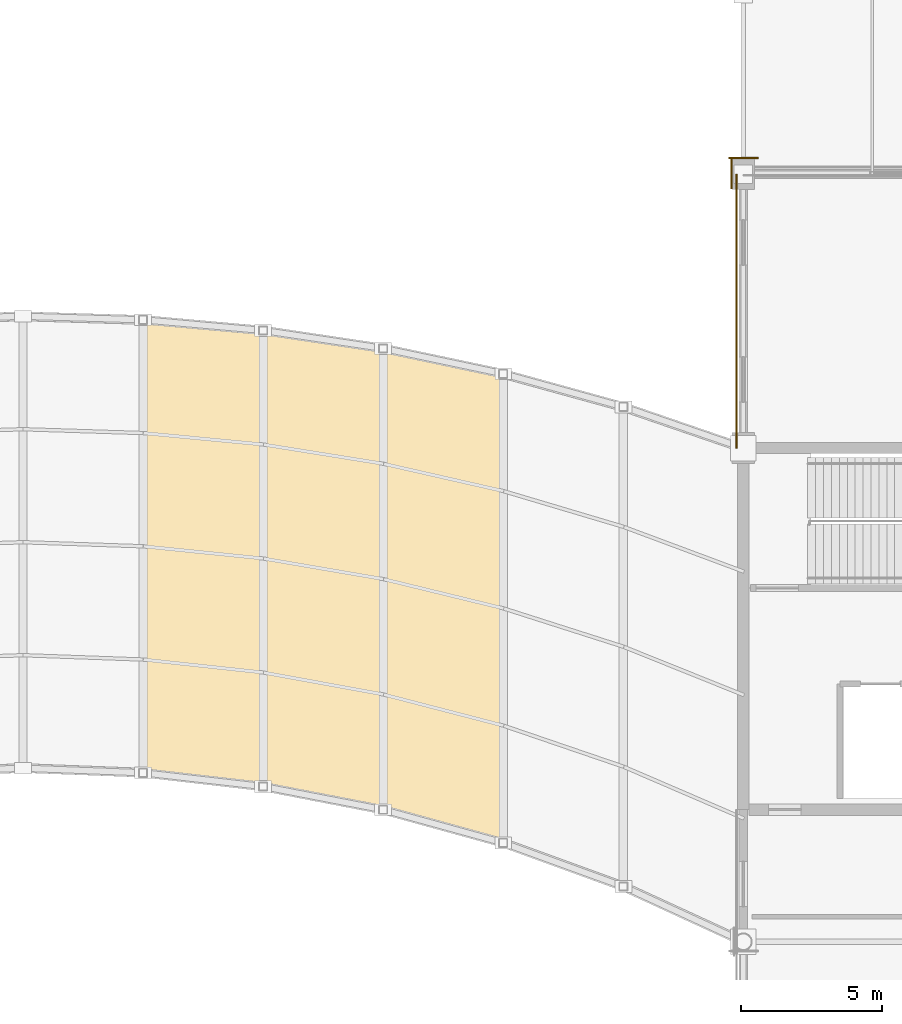
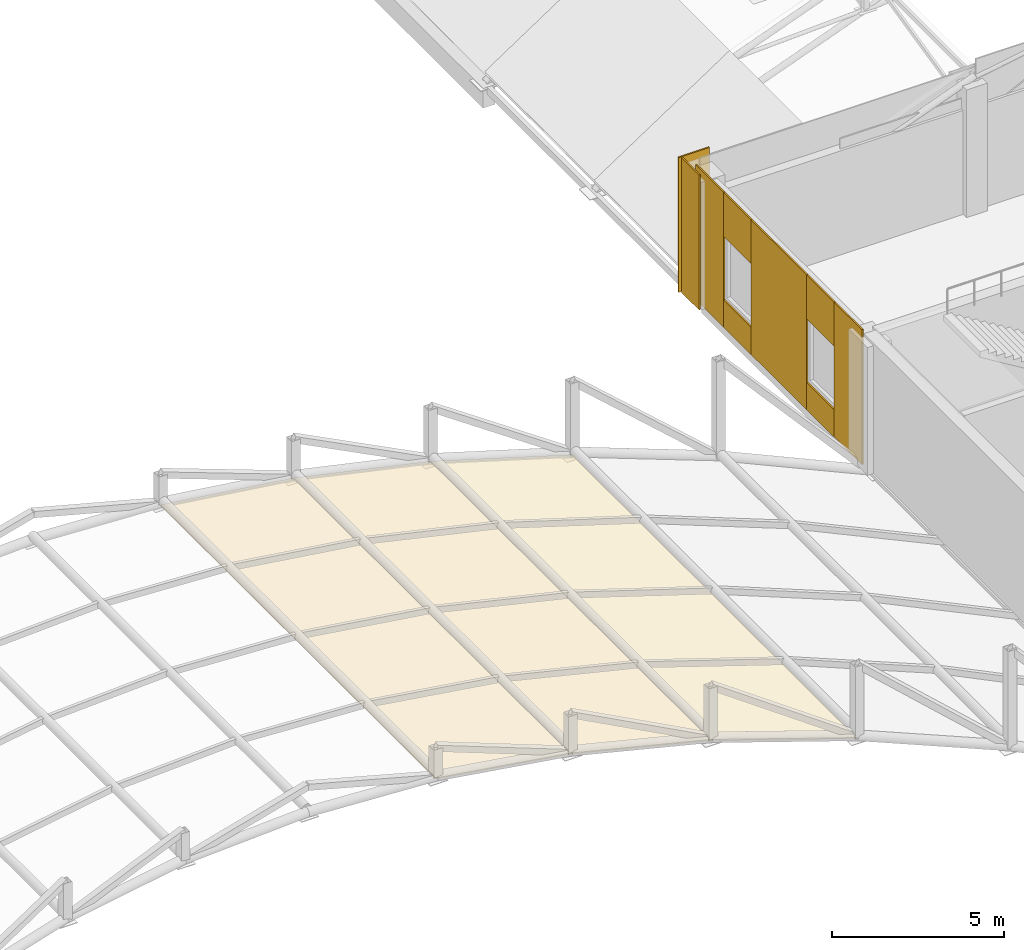
# One storey, part 96 of 101: 12 coverings.
"""IFC4 building model written with IfcOpenShell, lengths in metres."""

from ifc_helpers import new_model, si_unit, direction, frame, origin, origin_2d, place, context, subcontext, project, spatial, polyline, rectangle, outline, extrude, material, layer, layer_set, type_object, element, save


model = new_model("IFC4")

# Units and contexts
model_context = context("Model", 3, precision=1e-05, world=origin(), true_north=direction((0.0, 1.0)))
body_context = subcontext(model_context, "Body", "Model", "MODEL_VIEW")
ifc_project = project(units=[si_unit("LENGTHUNIT", "METRE"), si_unit("AREAUNIT", "SQUARE_METRE"), si_unit("VOLUMEUNIT", "CUBIC_METRE"), si_unit("PLANEANGLEUNIT", "RADIAN"), si_unit("MASSUNIT", "GRAM", prefix="KILO")], contexts=[model_context])

# Site, building, storey
site_placement = place(None, origin())
site = spatial("IfcSite", under=ifc_project, at=site_placement, CompositionType="ELEMENT")
building_placement = place(site_placement, origin())
building = spatial("IfcBuilding", under=site, at=building_placement, Name="Solvikara Media Centre", CompositionType="ELEMENT")
storey_placement = place(building_placement, frame((0.0, 0.0, 10.199951171875)))
storey = spatial("IfcBuildingStorey", under=building, at=storey_placement, Name="L02", CompositionType="ELEMENT", Elevation=10.199951171875)

# Coverings
ifc_material_1 = material(Name="Perforated acoustic gypsum ceiling board")
ifc_layer_1 = layer(ifc_material_1, 0.0400390625)
ifc_layer_set_1 = layer_set([ifc_layer_1], Name="Perforated acoustic gypsum ceiling board")
covering_type_1 = type_object("IfcCoveringType", Name="CV-01", PredefinedType="CEILING", material=ifc_layer_set_1)
covering_1_placement = place(storey_placement, frame((106.25, 25.304931640625, 3.1689453125), z_axis=(0.071564655198, 0.0, 0.99743596292), x_axis=(0.990989060478, -0.113512878366, -0.071102098836)))
element("IfcCovering", 1, at=covering_1_placement, inside=storey, type_object=covering_type_1, Name="SOF-ARC-07", PredefinedType="CEILING", context=body_context, shape_type="SweptSolid", body=[
    extrude(outline(polyline([(0.0, 0.0), (4.288644718188768, 3.426078865054194e-17), (2.4558662275038365, 16.04163685112816), (-1.8203075934035298, 15.932483668453472), (0.0, 0.0)])), origin(), (0.0, 0.0, -1.0), 0.0400390625),
])
covering_2_placement = place(storey_placement, frame((110.5, 24.818115234375, 2.864013671875), z_axis=(0.118191463058, 0.0, 0.992990824761), x_axis=(0.97516795398, -0.188613884481, -0.116070082758)))
element("IfcCovering", 2, at=covering_2_placement, inside=storey, type_object=covering_type_1, Name="SOF-ARC-08", PredefinedType="CEILING", context=body_context, shape_type="SweptSolid", body=[
    extrude(outline(polyline([(0.0, 0.0), (4.358223609229966, -1.0928757898653885e-16), (1.277591560450828, 16.039851943930806), (-3.0453590420621754, 15.856196837965918), (0.0, 0.0)])), origin(), (0.0, 0.0, -1.0), 0.0400390625),
])
covering_3_placement = place(storey_placement, frame((114.75, 23.99609375, 2.358154296875), z_axis=(0.164821619236, 0.0, 0.986323392115), x_axis=(0.951739592353, -0.262482868962, -0.159042421539)))
element("IfcCovering", 3, at=covering_3_placement, inside=storey, type_object=covering_type_1, Name="SOF-ARC-09", PredefinedType="CEILING", context=body_context, shape_type="SweptSolid", body=[
    extrude(outline(polyline([(0.0, 0.0), (4.465507197711592, -6.938893903907228e-17), (0.10647162336564756, 16.024638911651298), (-4.287134749400836, 15.760317885235246), (0.0, 0.0)])), origin(), (0.0, 0.0, -1.0), 0.0400390625),
])
ifc_material_2 = material(Name="GFRC white mineral architectural rainscreen panel")
ifc_layer_2 = layer(ifc_material_2, 0.050048828125)
ifc_layer_set_2 = layer_set([ifc_layer_2], Name="GFRC white mineral architectural rainscreen panel")
covering_type_2 = type_object("IfcCoveringType", Name="CV-04", PredefinedType="CLADDING", material=ifc_layer_set_2)
for number, where, z_axis, x_axis, name in (
    (4, (127.5, 47.074951171875, 0.0), (0.0, 0.0, 1.0), (-1.0, 0.0, 0.0), "PIL-L02-196"),
    (5, (127.074951171875, 46.5, 0.0), (0.0, 0.0, 1.0), (0.0, -1.0, 0.0), "PIL-L02-197"),
):
    element("IfcCovering", number, at=place(storey_placement, frame(where, z_axis=z_axis, x_axis=x_axis)), inside=storey, type_object=covering_type_2, Name=name, PredefinedType="CLADDING", context=body_context, shape_type="SweptSolid", body=[
        extrude(rectangle(XDim=1.0400390625, YDim=0.050048828125, at=origin_2d()), origin(), (0.0, 0.0, 1.0), 4.800048828125),
    ])
covering_4_placement = place(storey_placement, frame((127.2548828125, 37.612060546875, 0.0), z_axis=(0.0, 0.0, 1.0), x_axis=(0.0, 1.0, 0.0)))
element("IfcCovering", 6, at=covering_4_placement, inside=storey, type_object=covering_type_2, Name="L02-V5WN-CV-F01", PredefinedType="CLADDING", context=body_context, shape_type="SweptSolid", body=[
    extrude(rectangle(XDim=1.625, YDim=0.050048828125, at=origin_2d()), origin(), (0.0, 0.0, 1.0), 4.800048828125),
])
covering_5_placement = place(storey_placement, frame((127.2548828125, 39.22509765625, 0.0), z_axis=(0.0, 0.0, 1.0), x_axis=(0.0, 1.0, 0.0)))
element("IfcCovering", 7, at=covering_5_placement, inside=storey, type_object=covering_type_2, Name="L02-V5WN-CV-S02", PredefinedType="CLADDING", context=body_context, shape_type="SweptSolid", body=[
    extrude(rectangle(XDim=1.60009765625, YDim=0.050048828125, at=origin_2d()), origin(), (0.0, 0.0, 1.0), 0.969970703125),
])
covering_6_placement = place(storey_placement, frame((127.2548828125, 39.22509765625, 3.22998046875), z_axis=(0.0, 0.0, 1.0), x_axis=(0.0, 1.0, 0.0)))
element("IfcCovering", 8, at=covering_6_placement, inside=storey, type_object=covering_type_2, Name="L02-V5WN-CV-H02", PredefinedType="CLADDING", context=body_context, shape_type="SweptSolid", body=[
    extrude(rectangle(XDim=1.60009765625, YDim=0.050048828125, at=origin_2d()), origin(), (0.0, 0.0, 1.0), 1.570068359375),
])
covering_7_placement = place(storey_placement, frame((127.2548828125, 41.64990234375, 0.0), z_axis=(0.0, 0.0, 1.0), x_axis=(0.0, 1.0, 0.0)))
element("IfcCovering", 9, at=covering_7_placement, inside=storey, type_object=covering_type_2, Name="L02-V5WN-CV-F03", PredefinedType="CLADDING", context=body_context, shape_type="SweptSolid", body=[
    extrude(rectangle(XDim=3.25, YDim=0.050048828125, at=origin_2d()), origin(), (0.0, 0.0, 1.0), 4.800048828125),
])
covering_8_placement = place(storey_placement, frame((127.2548828125, 44.074951171875, 0.0), z_axis=(0.0, 0.0, 1.0), x_axis=(0.0, 1.0, 0.0)))
element("IfcCovering", 10, at=covering_8_placement, inside=storey, type_object=covering_type_2, Name="L02-V5WN-CV-S04", PredefinedType="CLADDING", context=body_context, shape_type="SweptSolid", body=[
    extrude(rectangle(XDim=1.60009765625, YDim=0.050048828125, at=origin_2d()), origin(), (0.0, 0.0, 1.0), 0.969970703125),
])
covering_9_placement = place(storey_placement, frame((127.2548828125, 44.074951171875, 3.22998046875), z_axis=(0.0, 0.0, 1.0), x_axis=(0.0, 1.0, 0.0)))
element("IfcCovering", 11, at=covering_9_placement, inside=storey, type_object=covering_type_2, Name="L02-V5WN-CV-H04", PredefinedType="CLADDING", context=body_context, shape_type="SweptSolid", body=[
    extrude(rectangle(XDim=1.60009765625, YDim=0.050048828125, at=origin_2d()), origin(), (0.0, 0.0, 1.0), 1.570068359375),
])
covering_10_placement = place(storey_placement, frame((127.2548828125, 45.68798828125, 0.0), z_axis=(0.0, 0.0, 1.0), x_axis=(0.0, 1.0, 0.0)))
element("IfcCovering", 12, at=covering_10_placement, inside=storey, type_object=covering_type_2, Name="L02-V5WN-CV-F05", PredefinedType="CLADDING", context=body_context, shape_type="SweptSolid", body=[
    extrude(rectangle(XDim=1.625, YDim=0.050048828125, at=origin_2d()), origin(), (0.0, 0.0, 1.0), 4.800048828125),
])

save(model, "model.ifc")
